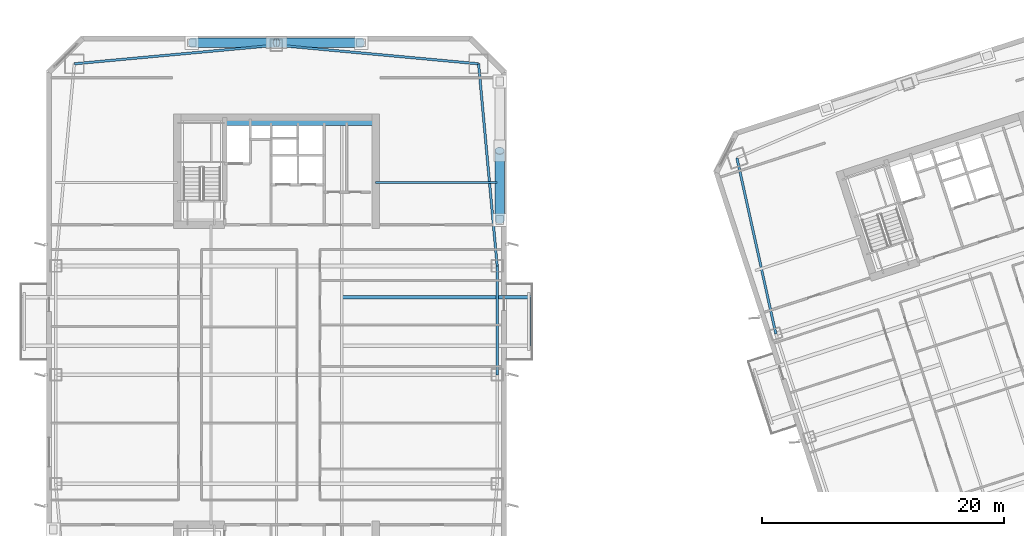
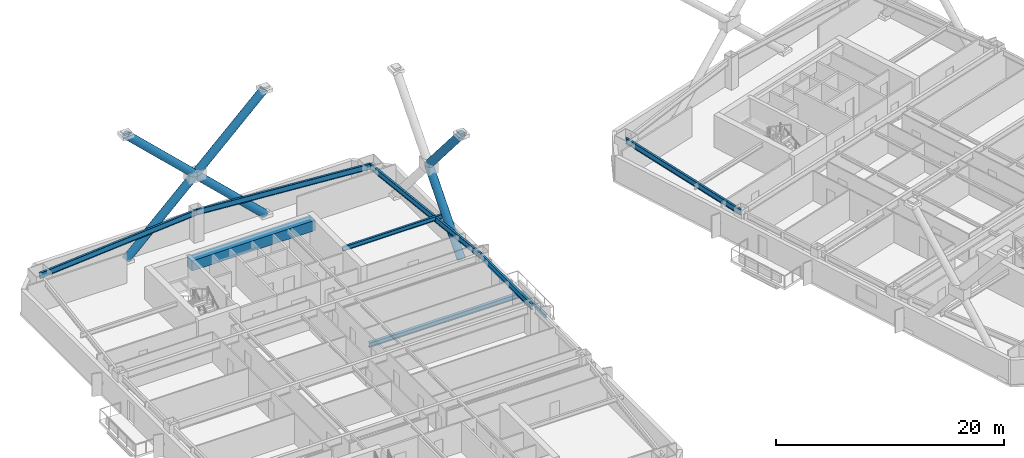
# One storey, part 6 of 24: 9 beams, 6 members.
"""IFC4 building model written with IfcOpenShell, lengths in metres."""

from ifc_helpers import new_model, si_unit, direction, frame, origin, origin_2d, place, context, subcontext, project, spatial, rectangle, hollow_circle, i_section, extrude, material, material_profile, profile_set, type_object, element, save


model = new_model("IFC4")

# Units and contexts
model_context = context("Model", 3, precision=1e-05, world=origin(), true_north=direction((0.0, 1.0)))
body_context = subcontext(model_context, "Body", "Model", "MODEL_VIEW")
ifc_project = project(units=[si_unit("LENGTHUNIT", "METRE"), si_unit("AREAUNIT", "SQUARE_METRE"), si_unit("VOLUMEUNIT", "CUBIC_METRE"), si_unit("PLANEANGLEUNIT", "RADIAN"), si_unit("MASSUNIT", "GRAM", prefix="KILO")], contexts=[model_context])

# Site, building, storey
site_placement = place(None, origin())
site = spatial("IfcSite", under=ifc_project, at=site_placement, CompositionType="ELEMENT")
building_placement = place(site_placement, origin())
building = spatial("IfcBuilding", under=site, at=building_placement, Name="Qiaolan Cultural Towers", CompositionType="ELEMENT")
storey_placement = place(building_placement, frame((0.0, 0.0, 120.75)))
storey = spatial("IfcBuildingStorey", under=building, at=storey_placement, Name="L31", CompositionType="ELEMENT", Elevation=120.75)

# Beams
ifc_material_1 = material(Name="Steel Q355B", Category="steel")
ifc_material_profile_1 = material_profile(ifc_material_1, i_section(OverallWidth=0.300048828125, OverallDepth=0.488037109375, WebThickness=0.010986328125, FlangeThickness=0.01806640625, at=origin_2d()), Name="HM488x300x11x18")
ifc_profile_set_1 = profile_set([ifc_material_profile_1], Name="Steel Q355B")
beam_type_1 = type_object("IfcBeamType", Name="BM-HM488x300x11x18", PredefinedType="BEAM", material=ifc_profile_set_1)
beam_1_placement = place(storey_placement, frame((35.39990234375, 40.39990234375, -0.52392578125), z_axis=(1.0, 0.0, 0.0), x_axis=(0.0, 1.0, 0.0)))
element("IfcBeam", 1, at=beam_1_placement, inside=storey, type_object=beam_type_1, Name="L31 T1 Tree Balcony Back-Spanned Bracket Beam", PredefinedType="BEAM", context=body_context, shape_type="SweptSolid", body=[
    extrude(i_section(OverallWidth=0.300048828125, OverallDepth=0.488037109375, WebThickness=0.010986328125, FlangeThickness=0.01806640625, at=origin_2d()), origin(), (0.0, 0.0, 1.0), 15.650146484375),
])
ifc_material_2 = material(Name="Steel Q355B", Category="steel")
ifc_material_profile_2 = material_profile(ifc_material_2, i_section(OverallWidth=0.175048828125, OverallDepth=0.35009765625, WebThickness=0.007080078125, FlangeThickness=0.010986328125, at=origin_2d()), Name="HN350x175x7x11")
ifc_profile_set_2 = profile_set([ifc_material_profile_2], Name="Steel Q355B")
beam_type_2 = type_object("IfcBeamType", Name="BM-JST-HN350x175x7x11", PredefinedType="JOIST", material=ifc_profile_set_2)
beam_2_placement = place(storey_placement, frame((51.050048828125, 36.39990234375, -0.52392578125), z_axis=(0.0, 1.0, 0.0), x_axis=(-1.0, 0.0, 0.0)))
element("IfcBeam", 2, at=beam_2_placement, inside=storey, type_object=beam_type_2, Name="L31 T1 Tree Balcony Outer Edge Beam", PredefinedType="JOIST", context=body_context, shape_type="SweptSolid", body=[
    extrude(i_section(OverallWidth=0.175048828125, OverallDepth=0.35009765625, WebThickness=0.007080078125, FlangeThickness=0.010986328125, at=origin_2d()), origin(), (0.0, 0.0, 1.0), 4.0),
])
ifc_material_3 = material(Name="Steel Q355B", Category="steel")
ifc_material_profile_3 = material_profile(ifc_material_3, i_section(OverallWidth=0.199951171875, OverallDepth=0.449951171875, WebThickness=0.009033203125, FlangeThickness=0.013916015625, at=origin_2d()), Name="HN450x200x9x14")
ifc_profile_set_3 = profile_set([ifc_material_profile_3], Name="Steel Q355B")
beam_type_3 = type_object("IfcBeamType", Name="BM-LNT-HN450x200x9x14", PredefinedType="LINTEL", material=ifc_profile_set_3)
beam_3_placement = place(storey_placement, frame((38.199951171875, 49.89990234375, 2.965087890625), z_axis=(1.0, 0.0, 0.0), x_axis=(0.0, 1.0, 0.0)))
element("IfcBeam", 3, at=beam_3_placement, inside=storey, type_object=beam_type_3, Name="L31 T1 Core Flank Tie Lintel EN", PredefinedType="LINTEL", context=body_context, shape_type="SweptSolid", body=[
    extrude(i_section(OverallWidth=0.199951171875, OverallDepth=0.449951171875, WebThickness=0.009033203125, FlangeThickness=0.013916015625, at=origin_2d()), origin(), (0.0, 0.0, 1.0), 10.050048828125),
])
ifc_material_4 = material(Name="Concrete C50", Category="concrete")
ifc_material_profile_4 = material_profile(ifc_material_4, rectangle(XDim=0.89990234375, YDim=1.10009765625, at=origin_2d()), Name="RC900x1100")
ifc_profile_set_4 = profile_set([ifc_material_profile_4], Name="Concrete C50")
beam_type_4 = type_object("IfcBeamType", Name="BM-RC900x1100", PredefinedType="BEAM", material=ifc_profile_set_4)
beam_4_placement = place(storey_placement, frame((25.719970703125, 55.050048828125, 2.639892578125), z_axis=(1.0, 0.0, 0.0), x_axis=(0.0, 1.0, 0.0)))
element("IfcBeam", 4, at=beam_4_placement, inside=storey, type_object=beam_type_4, Name="L31 T1 Core Header Girder N", PredefinedType="BEAM", context=body_context, shape_type="SweptSolid", body=[
    extrude(rectangle(XDim=0.89990234375, YDim=1.10009765625, at=origin_2d()), origin(), (0.0, 0.0, 1.0), 12.47998046875),
])
ifc_material_5 = material(Name="Steel Q355B", Category="steel")
ifc_material_profile_5 = material_profile(ifc_material_5, i_section(OverallWidth=0.199951171875, OverallDepth=0.60009765625, WebThickness=0.010986328125, FlangeThickness=0.01708984375, at=origin_2d()), Name="HN600x200x11x17")
ifc_profile_set_5 = profile_set([ifc_material_profile_5], Name="Steel Q355B")
beam_type_5 = type_object("IfcBeamType", Name="BM-SPD-HN600x200x11x17", PredefinedType="SPANDREL", material=ifc_profile_set_5)
beam_5_placement = place(storey_placement, frame((48.25, 34.0, 2.889892578125), z_axis=(0.0, 1.0, 0.0), x_axis=(-1.0, 0.0, 0.0)))
element("IfcBeam", 5, at=beam_5_placement, inside=storey, type_object=beam_type_5, Name="L31 T1 Perimeter Spandrel Beam 5", PredefinedType="SPANDREL", context=body_context, shape_type="SweptSolid", body=[
    extrude(i_section(OverallWidth=0.199951171875, OverallDepth=0.60009765625, WebThickness=0.010986328125, FlangeThickness=0.01708984375, at=origin_2d()), origin(), (0.0, 0.0, 1.0), 9.0),
])
for number, where, z_axis, x_axis, name in (
    (6, (48.25, 43.0, 2.889892578125), (-0.09177399582, 0.995779862064, 0.0), (-0.995779862064, -0.09177399582, 0.0), "L31 T1 Perimeter Spandrel Beam 6"),
    (7, (46.7099609375, 59.7099609375, 2.889892578125), (-0.995779862064, 0.09177399582, 0.0), (-0.09177399582, -0.995779862064, 0.0), "L31 T1 Perimeter Spandrel Beam 7"),
    (8, (30.0, 61.25, 2.889892578125), (-0.995779862064, -0.09177399582, 0.0), (0.09177399582, -0.995779862064, 0.0), "L31 T1 Perimeter Spandrel Beam 8"),
):
    element("IfcBeam", number, at=place(storey_placement, frame(where, z_axis=z_axis, x_axis=x_axis)), inside=storey, type_object=beam_type_5, Name=name, PredefinedType="SPANDREL", context=body_context, shape_type="SweptSolid", body=[
        extrude(i_section(OverallWidth=0.199951171875, OverallDepth=0.60009765625, WebThickness=0.010986328125, FlangeThickness=0.01708984375, at=origin_2d()), origin(), (0.0, 0.0, 1.0), 16.78076171875),
    ])
beam_6_placement = place(storey_placement, frame((68.069091796875, 51.919921875, 2.889892578125), z_axis=(0.216237644833, -0.976340760676, 0.0), x_axis=(0.976340760676, 0.216237644833, 0.0)))
element("IfcBeam", 9, at=beam_6_placement, inside=storey, type_object=beam_type_5, Name="L31 T2 Perimeter Spandrel Beam 9", PredefinedType="SPANDREL", context=body_context, shape_type="SweptSolid", body=[
    extrude(i_section(OverallWidth=0.199951171875, OverallDepth=0.60009765625, WebThickness=0.010986328125, FlangeThickness=0.01708984375, at=origin_2d()), origin(), (0.0, 0.0, 1.0), 14.888671875),
])

# Members
ifc_material_6 = material(Name="Steel Q390GJB", Category="steel")
ifc_material_profile_6 = material_profile(ifc_material_6, hollow_circle(Radius=0.39990234375, WallThickness=0.0400390625, at=origin_2d()), Name="CHS800x40")
ifc_profile_set_6 = profile_set([ifc_material_profile_6], Name="Steel Q390GJB")
member_type = type_object("IfcMemberType", Name="MBR-BRC-CHS800x40", PredefinedType="BRACE", material=ifc_profile_set_6)
for number, where, z_axis, x_axis, name in (
    (10, (48.449951171875, 46.800048828125, 0.14990234375), (0.0, 0.651013122571, 0.759066475509), (-1.0, 0.0, 0.0), "T1 EAST Perimeter Frame Diagonal W-Z2-M3-D1A"),
    (11, (48.449951171875, 52.52490234375, 6.824951171875), (0.0, -0.651013122571, 0.759066475509), (1.0, 0.0, 0.0), "T1 EAST Perimeter Frame Diagonal W-Z2-M3-D2B"),
):
    element("IfcMember", number, at=place(storey_placement, frame(where, z_axis=z_axis, x_axis=x_axis)), inside=storey, type_object=member_type, Name=name, PredefinedType="BRACE", context=body_context, shape_type="SweptSolid", body=[
        extrude(hollow_circle(Radius=0.39990234375, WallThickness=0.0400390625, at=origin_2d()), origin(), (0.0, 0.0, 1.0), 8.793701171875),
    ])
for number, where, z_axis, x_axis, name in (
    (12, (23.0, 61.449951171875, 0.14990234375), (0.723705002801, 0.0, 0.69010946155), (0.0, 1.0, 0.0), "T1 NORTH Perimeter Frame Diagonal W-Z2-M3-D1A"),
    (13, (30.0, 61.449951171875, 6.824951171875), (0.723705002801, 0.0, 0.69010946155), (0.0, 1.0, 0.0), "T1 NORTH Perimeter Frame Diagonal W-Z2-M3-D1B"),
    (14, (37.0, 61.449951171875, 0.14990234375), (-0.723705002801, 0.0, 0.69010946155), (0.0, -1.0, 0.0), "T1 NORTH Perimeter Frame Diagonal W-Z2-M3-D2A"),
    (15, (30.0, 61.449951171875, 6.824951171875), (-0.723705002801, 0.0, 0.69010946155), (0.0, -1.0, 0.0), "T1 NORTH Perimeter Frame Diagonal W-Z2-M3-D2B"),
):
    element("IfcMember", number, at=place(storey_placement, frame(where, z_axis=z_axis, x_axis=x_axis)), inside=storey, type_object=member_type, Name=name, PredefinedType="BRACE", context=body_context, shape_type="SweptSolid", body=[
        extrude(hollow_circle(Radius=0.39990234375, WallThickness=0.0400390625, at=origin_2d()), origin(), (0.0, 0.0, 1.0), 9.67236328125),
    ])

save(model, "model.ifc")
